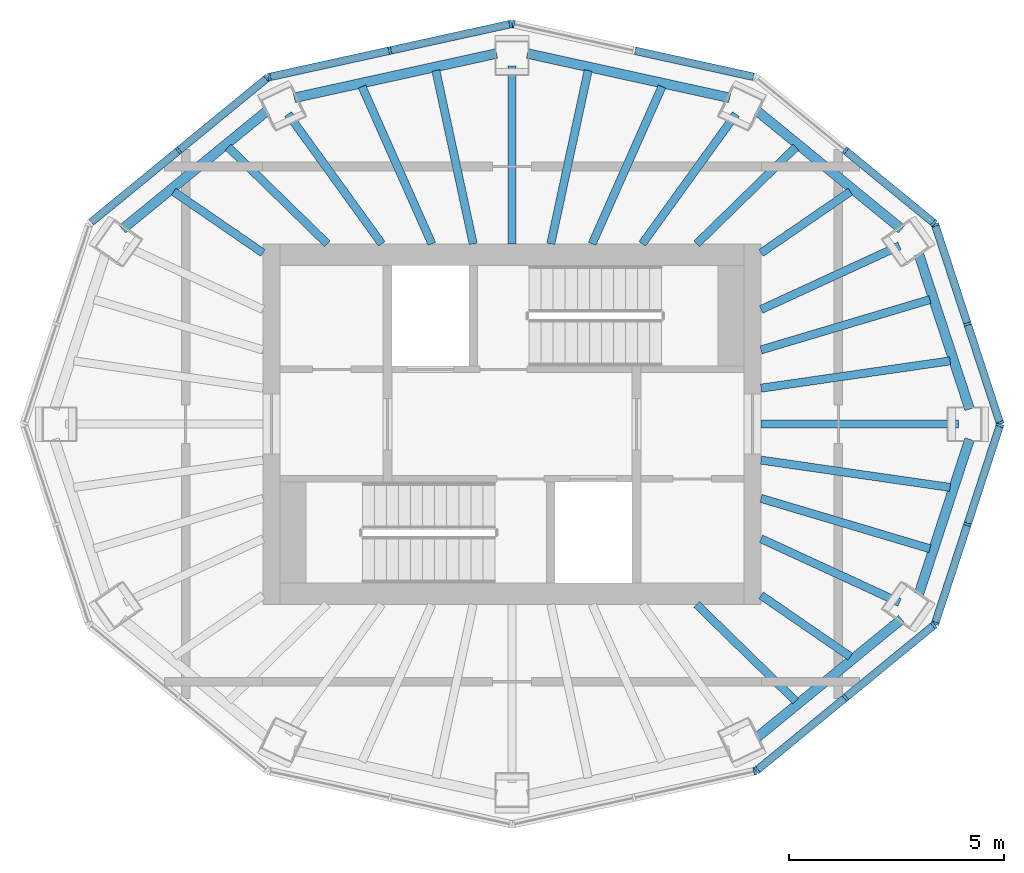
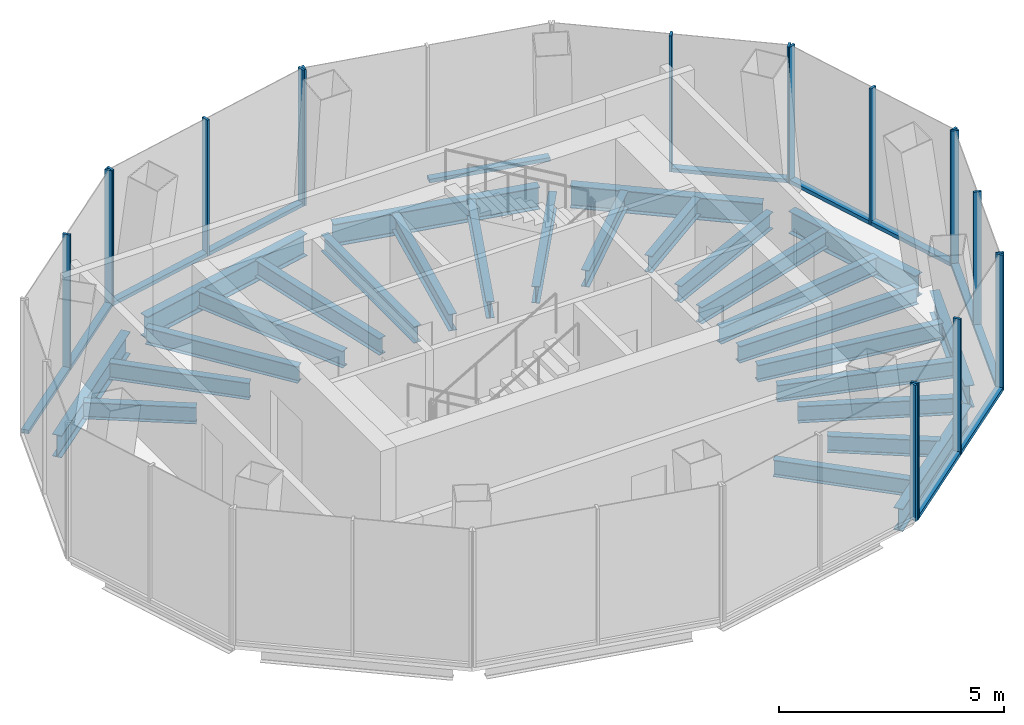
# One storey, part 2 of 5: 30 members, 27 beams, 8 elements without a shape of their own.
"""IFC4 building model written with IfcOpenShell, lengths in metres."""

from ifc_helpers import new_model, si_unit, direction, frame, origin, origin_2d, place, context, subcontext, project, spatial, rectangle, i_section, extrude, material, layer, layer_set, material_profile, profile_set, type_object, element, aggregate, save


model = new_model("IFC4")

# Units and contexts
model_context = context("Model", 3, precision=1e-05, world=origin(), true_north=direction((0.0, 1.0)))
body_context = subcontext(model_context, "Body", "Model", "MODEL_VIEW")
ifc_project = project(units=[si_unit("LENGTHUNIT", "METRE"), si_unit("AREAUNIT", "SQUARE_METRE"), si_unit("VOLUMEUNIT", "CUBIC_METRE"), si_unit("PLANEANGLEUNIT", "RADIAN"), si_unit("MASSUNIT", "GRAM", prefix="KILO")], contexts=[model_context])

# Site, building, storey
site_placement = place(None, origin())
site = spatial("IfcSite", under=ifc_project, at=site_placement, CompositionType="ELEMENT")
building_placement = place(site_placement, origin())
building = spatial("IfcBuilding", under=site, at=building_placement, Name="Siaravel Broadcast Tower", CompositionType="ELEMENT")
storey_placement = place(building_placement, frame((0.0, 0.0, 284.300048828125)))
storey = spatial("IfcBuildingStorey", under=building, at=storey_placement, Name="L69", CompositionType="ELEMENT", Elevation=284.300048828125)

# Curtain wall, members
ifc_material_1 = material(Name="Aluminium 6063-T6", Category="aluminium")
ifc_layer = layer(ifc_material_1, 0.179931640625)
ifc_layer_set = layer_set([ifc_layer], Name="Aluminium 6063-T6")
curtain_wall_type = type_object("IfcCurtainWallType", Name="Crown glass facet wall", PredefinedType="NOTDEFINED", material=ifc_layer_set)
curtain_wall_1_placement = place(storey_placement, origin())
curtain_wall_1 = element("IfcCurtainWall", 1, at=curtain_wall_1_placement, inside=storey, type_object=curtain_wall_type, Name="L69 Crown glass facet wall 01", PredefinedType="NOTDEFINED")
ifc_material_profile_1 = material_profile(ifc_material_1, rectangle(XDim=0.179931640625, YDim=0.06005859375, at=origin_2d()))
ifc_profile_set_1 = profile_set([ifc_material_profile_1], Name="Aluminium 6063-T6")
member_type_1 = type_object("IfcMemberType", Name="CW-CR mullion", PredefinedType="MULLION", material=ifc_profile_set_1)
member_1_placement = place(storey_placement, frame((11.36279296875, 0.028564453125, 0.0), z_axis=(0.0, 0.0, 1.0), x_axis=(-0.950457445, -0.310854701, 0.0)))
member_1 = element("IfcMember", 2, at=member_1_placement, type_object=member_type_1, Name="CW-CR mullion 1", PredefinedType="MULLION", context=body_context, shape_type="SweptSolid", body=[
    extrude(rectangle(XDim=0.179931640625, YDim=0.06005859375, at=origin_2d()), origin(), (0.0, 0.0, 1.0), 3.699951171875),
])
member_2_placement = place(storey_placement, frame((10.609130859375, 2.3330078125, 0.0), z_axis=(0.0, 0.0, 1.0), x_axis=(-0.950457445, -0.310854701, 0.0)))
member_2 = element("IfcMember", 3, at=member_2_placement, type_object=member_type_1, Name="CW-CR mullion 2", PredefinedType="MULLION", context=body_context, shape_type="SweptSolid", body=[
    extrude(rectangle(XDim=0.179931640625, YDim=0.06005859375, at=origin_2d()), origin(), (0.0, 0.0, 1.0), 3.699951171875),
])
member_3_placement = place(storey_placement, frame((9.85546875, 4.63720703125, 0.0), z_axis=(0.0, 0.0, 1.0), x_axis=(-0.950457445, -0.310854701, 0.0)))
member_3 = element("IfcMember", 4, at=member_3_placement, type_object=member_type_1, Name="CW-CR mullion 3", PredefinedType="MULLION", context=body_context, shape_type="SweptSolid", body=[
    extrude(rectangle(XDim=0.179931640625, YDim=0.06005859375, at=origin_2d()), origin(), (0.0, 0.0, 1.0), 3.699951171875),
])

curtain_wall_2_placement = place(storey_placement, origin())
curtain_wall_2 = element("IfcCurtainWall", 5, at=curtain_wall_2_placement, inside=storey, type_object=curtain_wall_type, Name="L69 Crown glass facet wall 02", PredefinedType="NOTDEFINED")
member_4_placement = place(storey_placement, frame((9.822998046875, 4.684814453125, 0.0), z_axis=(0.0, 0.0, 1.0), x_axis=(-0.633717624, -0.77356446, 0.0)))
member_4 = element("IfcMember", 6, at=member_4_placement, type_object=member_type_1, Name="CW-CR mullion 1", PredefinedType="MULLION", context=body_context, shape_type="SweptSolid", body=[
    extrude(rectangle(XDim=0.179931640625, YDim=0.06005859375, at=origin_2d()), origin(), (0.0, 0.0, 1.0), 3.699951171875),
])
member_5_placement = place(storey_placement, frame((7.764404296875, 6.371337890625, 0.0), z_axis=(0.0, 0.0, 1.0), x_axis=(-0.633717624, -0.77356446, 0.0)))
member_5 = element("IfcMember", 7, at=member_5_placement, type_object=member_type_1, Name="CW-CR mullion 2", PredefinedType="MULLION", context=body_context, shape_type="SweptSolid", body=[
    extrude(rectangle(XDim=0.179931640625, YDim=0.06005859375, at=origin_2d()), origin(), (0.0, 0.0, 1.0), 3.699951171875),
])

# Curtain wall, member
curtain_wall_3_placement = place(storey_placement, origin())
curtain_wall_3 = element("IfcCurtainWall", 8, at=curtain_wall_3_placement, inside=storey, type_object=curtain_wall_type, Name="L69 Crown glass facet wall 03", PredefinedType="NOTDEFINED")
member_6_placement = place(storey_placement, frame((0.029296875, 9.317626953125, 0.0), z_axis=(0.0, 0.0, 1.0), x_axis=(-0.214396093, -0.976746802, 0.0)))
member_6 = element("IfcMember", 9, at=member_6_placement, type_object=member_type_1, Name="CW-CR mullion 3", PredefinedType="MULLION", context=body_context, shape_type="SweptSolid", body=[
    extrude(rectangle(XDim=0.179931640625, YDim=0.06005859375, at=origin_2d()), origin(), (0.0, 0.0, 1.0), 3.699951171875),
])

# Curtain wall, members
curtain_wall_4_placement = place(storey_placement, origin())
curtain_wall_4 = element("IfcCurtainWall", 10, at=curtain_wall_4_placement, inside=storey, type_object=curtain_wall_type, Name="L69 Crown glass facet wall 04", PredefinedType="NOTDEFINED")
member_7_placement = place(storey_placement, frame((-0.029296875, 9.317626953125, 0.0), z_axis=(0.0, 0.0, 1.0), x_axis=(0.214396093, -0.976746802, 0.0)))
member_7 = element("IfcMember", 11, at=member_7_placement, type_object=member_type_1, Name="CW-CR mullion 1", PredefinedType="MULLION", context=body_context, shape_type="SweptSolid", body=[
    extrude(rectangle(XDim=0.179931640625, YDim=0.06005859375, at=origin_2d()), origin(), (0.0, 0.0, 1.0), 3.699951171875),
])
member_8_placement = place(storey_placement, frame((-2.84130859375, 8.700439453125, 0.0), z_axis=(0.0, 0.0, 1.0), x_axis=(0.214396093, -0.976746802, 0.0)))
member_8 = element("IfcMember", 12, at=member_8_placement, type_object=member_type_1, Name="CW-CR mullion 2", PredefinedType="MULLION", context=body_context, shape_type="SweptSolid", body=[
    extrude(rectangle(XDim=0.179931640625, YDim=0.06005859375, at=origin_2d()), origin(), (0.0, 0.0, 1.0), 3.699951171875),
])
member_9_placement = place(storey_placement, frame((-5.653076171875, 8.083251953125, 0.0), z_axis=(0.0, 0.0, 1.0), x_axis=(0.214396093, -0.976746802, 0.0)))
member_9 = element("IfcMember", 13, at=member_9_placement, type_object=member_type_1, Name="CW-CR mullion 3", PredefinedType="MULLION", context=body_context, shape_type="SweptSolid", body=[
    extrude(rectangle(XDim=0.179931640625, YDim=0.06005859375, at=origin_2d()), origin(), (0.0, 0.0, 1.0), 3.699951171875),
])

curtain_wall_5_placement = place(storey_placement, origin())
curtain_wall_5 = element("IfcCurtainWall", 14, at=curtain_wall_5_placement, inside=storey, type_object=curtain_wall_type, Name="L69 Crown glass facet wall 05", PredefinedType="NOTDEFINED")
member_10_placement = place(storey_placement, frame((-5.70556640625, 8.057861328125, 0.0), z_axis=(0.0, 0.0, 1.0), x_axis=(0.633717624, -0.77356446, 0.0)))
member_10 = element("IfcMember", 15, at=member_10_placement, type_object=member_type_1, Name="CW-CR mullion 1", PredefinedType="MULLION", context=body_context, shape_type="SweptSolid", body=[
    extrude(rectangle(XDim=0.179931640625, YDim=0.06005859375, at=origin_2d()), origin(), (0.0, 0.0, 1.0), 3.699951171875),
])
member_11_placement = place(storey_placement, frame((-7.764404296875, 6.371337890625, 0.0), z_axis=(0.0, 0.0, 1.0), x_axis=(0.633717624, -0.77356446, 0.0)))
member_11 = element("IfcMember", 16, at=member_11_placement, type_object=member_type_1, Name="CW-CR mullion 2", PredefinedType="MULLION", context=body_context, shape_type="SweptSolid", body=[
    extrude(rectangle(XDim=0.179931640625, YDim=0.06005859375, at=origin_2d()), origin(), (0.0, 0.0, 1.0), 3.699951171875),
])

# Curtain wall, member
curtain_wall_6_placement = place(storey_placement, origin())
curtain_wall_6 = element("IfcCurtainWall", 17, at=curtain_wall_6_placement, inside=storey, type_object=curtain_wall_type, Name="L69 Crown glass facet wall 10", PredefinedType="NOTDEFINED")
member_12_placement = place(storey_placement, frame((5.653076171875, -8.083251953125, 0.0), z_axis=(0.0, 0.0, 1.0), x_axis=(-0.214396093, 0.976746802, 0.0)))
member_12 = element("IfcMember", 18, at=member_12_placement, type_object=member_type_1, Name="CW-CR mullion 3", PredefinedType="MULLION", context=body_context, shape_type="SweptSolid", body=[
    extrude(rectangle(XDim=0.179931640625, YDim=0.06005859375, at=origin_2d()), origin(), (0.0, 0.0, 1.0), 3.699951171875),
])
aggregate(curtain_wall_6, [member_12])

# Curtain wall, members
curtain_wall_7_placement = place(storey_placement, origin())
curtain_wall_7 = element("IfcCurtainWall", 19, at=curtain_wall_7_placement, inside=storey, type_object=curtain_wall_type, Name="L69 Crown glass facet wall 11", PredefinedType="NOTDEFINED")
member_13_placement = place(storey_placement, frame((5.70556640625, -8.057861328125, 0.0), z_axis=(0.0, 0.0, 1.0), x_axis=(-0.633717624, 0.77356446, 0.0)))
member_13 = element("IfcMember", 20, at=member_13_placement, type_object=member_type_1, Name="CW-CR mullion 1", PredefinedType="MULLION", context=body_context, shape_type="SweptSolid", body=[
    extrude(rectangle(XDim=0.179931640625, YDim=0.06005859375, at=origin_2d()), origin(), (0.0, 0.0, 1.0), 3.699951171875),
])
member_14_placement = place(storey_placement, frame((7.764404296875, -6.371337890625, 0.0), z_axis=(0.0, 0.0, 1.0), x_axis=(-0.633717624, 0.77356446, 0.0)))
member_14 = element("IfcMember", 21, at=member_14_placement, type_object=member_type_1, Name="CW-CR mullion 2", PredefinedType="MULLION", context=body_context, shape_type="SweptSolid", body=[
    extrude(rectangle(XDim=0.179931640625, YDim=0.06005859375, at=origin_2d()), origin(), (0.0, 0.0, 1.0), 3.699951171875),
])
member_15_placement = place(storey_placement, frame((9.822998046875, -4.684814453125, 0.0), z_axis=(0.0, 0.0, 1.0), x_axis=(-0.633717624, 0.77356446, 0.0)))
member_15 = element("IfcMember", 22, at=member_15_placement, type_object=member_type_1, Name="CW-CR mullion 3", PredefinedType="MULLION", context=body_context, shape_type="SweptSolid", body=[
    extrude(rectangle(XDim=0.179931640625, YDim=0.06005859375, at=origin_2d()), origin(), (0.0, 0.0, 1.0), 3.699951171875),
])

curtain_wall_8_placement = place(storey_placement, origin())
curtain_wall_8 = element("IfcCurtainWall", 23, at=curtain_wall_8_placement, inside=storey, type_object=curtain_wall_type, Name="L69 Crown glass facet wall 12", PredefinedType="NOTDEFINED")
member_16_placement = place(storey_placement, frame((9.85546875, -4.63720703125, 0.0), z_axis=(0.0, 0.0, 1.0), x_axis=(-0.950457445, 0.310854701, 0.0)))
member_16 = element("IfcMember", 24, at=member_16_placement, type_object=member_type_1, Name="CW-CR mullion 1", PredefinedType="MULLION", context=body_context, shape_type="SweptSolid", body=[
    extrude(rectangle(XDim=0.179931640625, YDim=0.06005859375, at=origin_2d()), origin(), (0.0, 0.0, 1.0), 3.699951171875),
])
member_17_placement = place(storey_placement, frame((10.609130859375, -2.3330078125, 0.0), z_axis=(0.0, 0.0, 1.0), x_axis=(-0.950457445, 0.310854701, 0.0)))
member_17 = element("IfcMember", 25, at=member_17_placement, type_object=member_type_1, Name="CW-CR mullion 2", PredefinedType="MULLION", context=body_context, shape_type="SweptSolid", body=[
    extrude(rectangle(XDim=0.179931640625, YDim=0.06005859375, at=origin_2d()), origin(), (0.0, 0.0, 1.0), 3.699951171875),
])
member_18_placement = place(storey_placement, frame((11.36279296875, -0.028564453125, 0.0), z_axis=(0.0, 0.0, 1.0), x_axis=(-0.950457445, 0.310854701, 0.0)))
member_18 = element("IfcMember", 26, at=member_18_placement, type_object=member_type_1, Name="CW-CR mullion 3", PredefinedType="MULLION", context=body_context, shape_type="SweptSolid", body=[
    extrude(rectangle(XDim=0.179931640625, YDim=0.06005859375, at=origin_2d()), origin(), (0.0, 0.0, 1.0), 3.699951171875),
])

# Member
ifc_material_profile_2 = material_profile(ifc_material_1, rectangle(XDim=0.179931640625, YDim=0.10009765625, at=origin_2d()))
ifc_profile_set_2 = profile_set([ifc_material_profile_2], Name="Aluminium 6063-T6")
member_type_2 = type_object("IfcMemberType", Name="CW-CR transom", PredefinedType="USERDEFINED", material=ifc_profile_set_2)
member_19_placement = place(storey_placement, frame((11.353515625, 0.056884765625, 0.050048828125), z_axis=(-0.310864415, 0.950454268, 0.0), x_axis=(-0.950454268, -0.310864415, 0.0)))
member_19 = element("IfcMember", 27, at=member_19_placement, type_object=member_type_2, Name="CW-CR transom 1", ObjectType="TRANSOM", PredefinedType="USERDEFINED", context=body_context, shape_type="SweptSolid", body=[
    extrude(rectangle(XDim=0.179931640625, YDim=0.10009765625, at=origin_2d()), origin(), (0.0, 0.0, 1.0), 2.36474609375),
])

member_20_placement = place(storey_placement, frame((10.599853515625, 2.361328125, 0.050048828125), z_axis=(-0.310864415, 0.950454268, 0.0), x_axis=(-0.950454268, -0.310864415, 0.0)))
member_20 = element("IfcMember", 28, at=member_20_placement, type_object=member_type_2, Name="CW-CR transom 2", ObjectType="TRANSOM", PredefinedType="USERDEFINED", context=body_context, shape_type="SweptSolid", body=[
    extrude(rectangle(XDim=0.179931640625, YDim=0.10009765625, at=origin_2d()), origin(), (0.0, 0.0, 1.0), 2.36474609375),
])

aggregate(curtain_wall_1, [member_1, member_2, member_3, member_19, member_20])

member_21_placement = place(storey_placement, frame((9.7998046875, 4.703857421875, 0.050048828125), z_axis=(-0.773564069, 0.633718101, 0.0), x_axis=(-0.633718101, -0.773564069, 0.0)))
member_21 = element("IfcMember", 29, at=member_21_placement, type_object=member_type_2, Name="CW-CR transom 1", ObjectType="TRANSOM", PredefinedType="USERDEFINED", context=body_context, shape_type="SweptSolid", body=[
    extrude(rectangle(XDim=0.179931640625, YDim=0.10009765625, at=origin_2d()), origin(), (0.0, 0.0, 1.0), 2.601318359375),
])

aggregate(curtain_wall_2, [member_4, member_5, member_21])

member_22_placement = place(storey_placement, frame((5.623779296875, 8.089599609375, 0.050048828125), z_axis=(-0.976734167, 0.214453649, 0.0), x_axis=(-0.214453649, -0.976734167, 0.0)))
member_22 = element("IfcMember", 30, at=member_22_placement, type_object=member_type_2, Name="CW-CR transom 1", ObjectType="TRANSOM", PredefinedType="USERDEFINED", context=body_context, shape_type="SweptSolid", body=[
    extrude(rectangle(XDim=0.179931640625, YDim=0.10009765625, at=origin_2d()), origin(), (0.0, 0.0, 1.0), 2.81884765625),
])

aggregate(curtain_wall_3, [member_6, member_22])

member_23_placement = place(storey_placement, frame((-0.05859375, 9.311279296875, 0.050048828125), z_axis=(-0.97673815, -0.214435508, 0.0), x_axis=(0.214435508, -0.97673815, 0.0)))
member_23 = element("IfcMember", 31, at=member_23_placement, type_object=member_type_2, Name="CW-CR transom 1", ObjectType="TRANSOM", PredefinedType="USERDEFINED", context=body_context, shape_type="SweptSolid", body=[
    extrude(rectangle(XDim=0.179931640625, YDim=0.10009765625, at=origin_2d()), origin(), (0.0, 0.0, 1.0), 2.819091796875),
])

member_24_placement = place(storey_placement, frame((-2.87060546875, 8.694091796875, 0.050048828125), z_axis=(-0.976734167, -0.214453649, 0.0), x_axis=(0.214453649, -0.976734167, 0.0)))
member_24 = element("IfcMember", 32, at=member_24_placement, type_object=member_type_2, Name="CW-CR transom 2", ObjectType="TRANSOM", PredefinedType="USERDEFINED", context=body_context, shape_type="SweptSolid", body=[
    extrude(rectangle(XDim=0.179931640625, YDim=0.10009765625, at=origin_2d()), origin(), (0.0, 0.0, 1.0), 2.81884765625),
])

aggregate(curtain_wall_4, [member_7, member_8, member_9, member_23, member_24])

member_25_placement = place(storey_placement, frame((-5.728759765625, 8.038818359375, 0.050048828125), z_axis=(-0.773601757, -0.633672093, 0.0), x_axis=(0.633672093, -0.773601757, 0.0)))
member_25 = element("IfcMember", 33, at=member_25_placement, type_object=member_type_2, Name="CW-CR transom 1", ObjectType="TRANSOM", PredefinedType="USERDEFINED", context=body_context, shape_type="SweptSolid", body=[
    extrude(rectangle(XDim=0.179931640625, YDim=0.10009765625, at=origin_2d()), origin(), (0.0, 0.0, 1.0), 2.601318359375),
])

member_26_placement = place(storey_placement, frame((-7.78759765625, 6.352294921875, 0.050048828125), z_axis=(-0.773564069, -0.633718101, 0.0), x_axis=(0.633718101, -0.773564069, 0.0)))
member_26 = element("IfcMember", 34, at=member_26_placement, type_object=member_type_2, Name="CW-CR transom 2", ObjectType="TRANSOM", PredefinedType="USERDEFINED", context=body_context, shape_type="SweptSolid", body=[
    extrude(rectangle(XDim=0.179931640625, YDim=0.10009765625, at=origin_2d()), origin(), (0.0, 0.0, 1.0), 2.601318359375),
])

aggregate(curtain_wall_5, [member_10, member_11, member_25, member_26])

member_27_placement = place(storey_placement, frame((5.728759765625, -8.038818359375, 0.050048828125), z_axis=(0.773601757, 0.633672093, 0.0), x_axis=(-0.633672093, 0.773601757, 0.0)))
member_27 = element("IfcMember", 35, at=member_27_placement, type_object=member_type_2, Name="CW-CR transom 1", ObjectType="TRANSOM", PredefinedType="USERDEFINED", context=body_context, shape_type="SweptSolid", body=[
    extrude(rectangle(XDim=0.179931640625, YDim=0.10009765625, at=origin_2d()), origin(), (0.0, 0.0, 1.0), 2.601318359375),
])

member_28_placement = place(storey_placement, frame((7.78759765625, -6.352294921875, 0.050048828125), z_axis=(0.773564069, 0.633718101, 0.0), x_axis=(-0.633718101, 0.773564069, 0.0)))
member_28 = element("IfcMember", 36, at=member_28_placement, type_object=member_type_2, Name="CW-CR transom 2", ObjectType="TRANSOM", PredefinedType="USERDEFINED", context=body_context, shape_type="SweptSolid", body=[
    extrude(rectangle(XDim=0.179931640625, YDim=0.10009765625, at=origin_2d()), origin(), (0.0, 0.0, 1.0), 2.601318359375),
])

aggregate(curtain_wall_7, [member_13, member_14, member_15, member_27, member_28])

member_29_placement = place(storey_placement, frame((9.86474609375, -4.60888671875, 0.050048828125), z_axis=(0.310864415, 0.950454268, 0.0), x_axis=(-0.950454268, 0.310864415, 0.0)))
member_29 = element("IfcMember", 37, at=member_29_placement, type_object=member_type_2, Name="CW-CR transom 1", ObjectType="TRANSOM", PredefinedType="USERDEFINED", context=body_context, shape_type="SweptSolid", body=[
    extrude(rectangle(XDim=0.179931640625, YDim=0.10009765625, at=origin_2d()), origin(), (0.0, 0.0, 1.0), 2.36474609375),
])

member_30_placement = place(storey_placement, frame((10.618408203125, -2.304443359375, 0.050048828125), z_axis=(0.310864415, 0.950454268, 0.0), x_axis=(-0.950454268, 0.310864415, 0.0)))
member_30 = element("IfcMember", 38, at=member_30_placement, type_object=member_type_2, Name="CW-CR transom 2", ObjectType="TRANSOM", PredefinedType="USERDEFINED", context=body_context, shape_type="SweptSolid", body=[
    extrude(rectangle(XDim=0.179931640625, YDim=0.10009765625, at=origin_2d()), origin(), (0.0, 0.0, 1.0), 2.36474609375),
])

aggregate(curtain_wall_8, [member_16, member_17, member_18, member_29, member_30])

# Beams
ifc_material_2 = material(Name="Steel S355", Category="steel")
ifc_material_profile_3 = material_profile(ifc_material_2, i_section(OverallWidth=0.18994140625, OverallDepth=0.453369140625, WebThickness=0.008544921875, FlangeThickness=0.0126953125, FilletRadius=0.01025390625, at=origin_2d()))
ifc_profile_set_3 = profile_set([ifc_material_profile_3], Name="Steel S355")
beam_type_1 = type_object("IfcBeamType", Name="Crown radial beam UB 457x191x67", PredefinedType="BEAM", material=ifc_profile_set_3)
beam_1_placement = place(storey_placement, frame((10.40185546875, 0.0, -0.4267578125), z_axis=(-1.0, 0.0, 0.0), x_axis=(0.0, -1.0, 0.0)))
element("IfcBeam", 39, at=beam_1_placement, inside=storey, type_object=beam_type_1, Name="Crown radial beam 4-01", PredefinedType="BEAM", context=body_context, shape_type="SweptSolid", body=[
    extrude(i_section(OverallWidth=0.18994140625, OverallDepth=0.453369140625, WebThickness=0.008544921875, FlangeThickness=0.0126953125, FilletRadius=0.01025390625, at=origin_2d()), origin(), (0.0, 0.0, 1.0), 4.601806640625),
])
beam_2_placement = place(storey_placement, frame((10.20166015625, 1.473388671875, -0.4267578125), z_axis=(-0.989729824, -0.142950605, 0.0), x_axis=(0.142950605, -0.989729824, 0.0)))
element("IfcBeam", 40, at=beam_2_placement, inside=storey, type_object=beam_type_1, Name="Crown radial beam 4-02", PredefinedType="BEAM", context=body_context, shape_type="SweptSolid", body=[
    extrude(i_section(OverallWidth=0.18994140625, OverallDepth=0.453369140625, WebThickness=0.008544921875, FlangeThickness=0.0126953125, FilletRadius=0.01025390625, at=origin_2d()), origin(), (0.0, 0.0, 1.0), 4.447265625),
])
beam_3_placement = place(storey_placement, frame((9.732177734375, 2.9013671875, -0.4267578125), z_axis=(-0.958329207, -0.28566612, 0.0), x_axis=(0.28566612, -0.958329207, 0.0)))
element("IfcBeam", 41, at=beam_3_placement, inside=storey, type_object=beam_type_1, Name="Crown radial beam 4-03", PredefinedType="BEAM", context=body_context, shape_type="SweptSolid", body=[
    extrude(i_section(OverallWidth=0.18994140625, OverallDepth=0.453369140625, WebThickness=0.008544921875, FlangeThickness=0.0126953125, FilletRadius=0.01025390625, at=origin_2d()), origin(), (0.0, 0.0, 1.0), 4.10302734375),
])
beam_4_placement = place(storey_placement, frame((9.02294921875, 4.153076171875, -0.4267578125), z_axis=(-0.908397945, -0.418106652, 0.0), x_axis=(0.418106652, -0.908397945, 0.0)))
element("IfcBeam", 42, at=beam_4_placement, inside=storey, type_object=beam_type_1, Name="Crown radial beam 4-04", PredefinedType="BEAM", context=body_context, shape_type="SweptSolid", body=[
    extrude(i_section(OverallWidth=0.18994140625, OverallDepth=0.453369140625, WebThickness=0.008544921875, FlangeThickness=0.0126953125, FilletRadius=0.01025390625, at=origin_2d()), origin(), (0.0, 0.0, 1.0), 3.5478515625),
])
beam_5_placement = place(storey_placement, frame((7.878173828125, 5.414794921875, -0.4267578125), z_axis=(-0.824132313, -0.566397325, 0.0), x_axis=(0.566397325, -0.824132313, 0.0)))
element("IfcBeam", 43, at=beam_5_placement, inside=storey, type_object=beam_type_1, Name="Crown radial beam 4-05", PredefinedType="BEAM", context=body_context, shape_type="SweptSolid", body=[
    extrude(i_section(OverallWidth=0.18994140625, OverallDepth=0.453369140625, WebThickness=0.008544921875, FlangeThickness=0.0126953125, FilletRadius=0.01025390625, at=origin_2d()), origin(), (0.0, 0.0, 1.0), 2.521484375),
])
beam_6_placement = place(storey_placement, frame((6.607666015625, 6.4501953125, -0.4267578125), z_axis=(-0.715581422, -0.698529333, 0.0), x_axis=(0.698529333, -0.715581422, 0.0)))
element("IfcBeam", 44, at=beam_6_placement, inside=storey, type_object=beam_type_1, Name="Crown radial beam 4-06", PredefinedType="BEAM", context=body_context, shape_type="SweptSolid", body=[
    extrude(i_section(OverallWidth=0.18994140625, OverallDepth=0.453369140625, WebThickness=0.008544921875, FlangeThickness=0.0126953125, FilletRadius=0.01025390625, at=origin_2d()), origin(), (0.0, 0.0, 1.0), 3.221435546875),
])
beam_7_placement = place(storey_placement, frame((5.21435546875, 7.219970703125, -0.4267578125), z_axis=(-0.585452267, -0.810706878, 0.0), x_axis=(0.810706878, -0.585452267, 0.0)))
element("IfcBeam", 45, at=beam_7_placement, inside=storey, type_object=beam_type_1, Name="Crown radial beam 4-07", PredefinedType="BEAM", context=body_context, shape_type="SweptSolid", body=[
    extrude(i_section(OverallWidth=0.18994140625, OverallDepth=0.453369140625, WebThickness=0.008544921875, FlangeThickness=0.0126953125, FilletRadius=0.01025390625, at=origin_2d()), origin(), (0.0, 0.0, 1.0), 3.72509765625),
])
beam_8_placement = place(storey_placement, frame((3.492919921875, 7.860595703125, -0.4267578125), z_axis=(-0.406087572, -0.913834167, 0.0), x_axis=(0.913834167, -0.406087572, 0.0)))
element("IfcBeam", 46, at=beam_8_placement, inside=storey, type_object=beam_type_1, Name="Crown radial beam 4-08", PredefinedType="BEAM", context=body_context, shape_type="SweptSolid", body=[
    extrude(i_section(OverallWidth=0.18994140625, OverallDepth=0.453369140625, WebThickness=0.008544921875, FlangeThickness=0.0126953125, FilletRadius=0.01025390625, at=origin_2d()), origin(), (0.0, 0.0, 1.0), 4.005859375),
])
beam_9_placement = place(storey_placement, frame((1.77294921875, 8.236083984375, -0.4267578125), z_axis=(-0.21045783, -0.977602937, 0.0), x_axis=(0.977602937, -0.21045783, 0.0)))
element("IfcBeam", 47, at=beam_9_placement, inside=storey, type_object=beam_type_1, Name="Crown radial beam 4-09", PredefinedType="BEAM", context=body_context, shape_type="SweptSolid", body=[
    extrude(i_section(OverallWidth=0.18994140625, OverallDepth=0.453369140625, WebThickness=0.008544921875, FlangeThickness=0.0126953125, FilletRadius=0.01025390625, at=origin_2d()), origin(), (0.0, 0.0, 1.0), 4.128662109375),
])
beam_10_placement = place(storey_placement, frame((0.0, 8.340576171875, -0.4267578125), z_axis=(0.0, -1.0, 0.0), x_axis=(1.0, 0.0, 0.0)))
element("IfcBeam", 48, at=beam_10_placement, inside=storey, type_object=beam_type_1, Name="Crown radial beam 4-10", PredefinedType="BEAM", context=body_context, shape_type="SweptSolid", body=[
    extrude(i_section(OverallWidth=0.18994140625, OverallDepth=0.453369140625, WebThickness=0.008544921875, FlangeThickness=0.0126953125, FilletRadius=0.01025390625, at=origin_2d()), origin(), (0.0, 0.0, 1.0), 4.140625),
])
beam_11_placement = place(storey_placement, frame((-1.77294921875, 8.236083984375, -0.4267578125), z_axis=(0.21045783, -0.977602937, 0.0), x_axis=(0.977602937, 0.21045783, 0.0)))
element("IfcBeam", 49, at=beam_11_placement, inside=storey, type_object=beam_type_1, Name="Crown radial beam 4-11", PredefinedType="BEAM", context=body_context, shape_type="SweptSolid", body=[
    extrude(i_section(OverallWidth=0.18994140625, OverallDepth=0.453369140625, WebThickness=0.008544921875, FlangeThickness=0.0126953125, FilletRadius=0.01025390625, at=origin_2d()), origin(), (0.0, 0.0, 1.0), 4.128662109375),
])
beam_12_placement = place(storey_placement, frame((-3.492919921875, 7.860595703125, -0.4267578125), z_axis=(0.406087572, -0.913834167, 0.0), x_axis=(0.913834167, 0.406087572, 0.0)))
element("IfcBeam", 50, at=beam_12_placement, inside=storey, type_object=beam_type_1, Name="Crown radial beam 4-12", PredefinedType="BEAM", context=body_context, shape_type="SweptSolid", body=[
    extrude(i_section(OverallWidth=0.18994140625, OverallDepth=0.453369140625, WebThickness=0.008544921875, FlangeThickness=0.0126953125, FilletRadius=0.01025390625, at=origin_2d()), origin(), (0.0, 0.0, 1.0), 4.005859375),
])
beam_13_placement = place(storey_placement, frame((-5.21435546875, 7.219970703125, -0.4267578125), z_axis=(0.585452267, -0.810706878, 0.0), x_axis=(0.810706878, 0.585452267, 0.0)))
element("IfcBeam", 51, at=beam_13_placement, inside=storey, type_object=beam_type_1, Name="Crown radial beam 4-13", PredefinedType="BEAM", context=body_context, shape_type="SweptSolid", body=[
    extrude(i_section(OverallWidth=0.18994140625, OverallDepth=0.453369140625, WebThickness=0.008544921875, FlangeThickness=0.0126953125, FilletRadius=0.01025390625, at=origin_2d()), origin(), (0.0, 0.0, 1.0), 3.72509765625),
])
beam_14_placement = place(storey_placement, frame((-6.607666015625, 6.4501953125, -0.4267578125), z_axis=(0.715581422, -0.698529333, 0.0), x_axis=(0.698529333, 0.715581422, 0.0)))
element("IfcBeam", 52, at=beam_14_placement, inside=storey, type_object=beam_type_1, Name="Crown radial beam 4-14", PredefinedType="BEAM", context=body_context, shape_type="SweptSolid", body=[
    extrude(i_section(OverallWidth=0.18994140625, OverallDepth=0.453369140625, WebThickness=0.008544921875, FlangeThickness=0.0126953125, FilletRadius=0.01025390625, at=origin_2d()), origin(), (0.0, 0.0, 1.0), 3.221435546875),
])
beam_15_placement = place(storey_placement, frame((-7.878173828125, 5.414794921875, -0.4267578125), z_axis=(0.824132313, -0.566397325, 0.0), x_axis=(0.566397325, 0.824132313, 0.0)))
element("IfcBeam", 53, at=beam_15_placement, inside=storey, type_object=beam_type_1, Name="Crown radial beam 4-15", PredefinedType="BEAM", context=body_context, shape_type="SweptSolid", body=[
    extrude(i_section(OverallWidth=0.18994140625, OverallDepth=0.453369140625, WebThickness=0.008544921875, FlangeThickness=0.0126953125, FilletRadius=0.01025390625, at=origin_2d()), origin(), (0.0, 0.0, 1.0), 2.521484375),
])
beam_16_placement = place(storey_placement, frame((6.607666015625, -6.4501953125, -0.4267578125), z_axis=(-0.715581422, 0.698529333, 0.0), x_axis=(-0.698529333, -0.715581422, 0.0)))
element("IfcBeam", 54, at=beam_16_placement, inside=storey, type_object=beam_type_1, Name="Crown radial beam 4-32", PredefinedType="BEAM", context=body_context, shape_type="SweptSolid", body=[
    extrude(i_section(OverallWidth=0.18994140625, OverallDepth=0.453369140625, WebThickness=0.008544921875, FlangeThickness=0.0126953125, FilletRadius=0.01025390625, at=origin_2d()), origin(), (0.0, 0.0, 1.0), 3.221435546875),
])
beam_17_placement = place(storey_placement, frame((7.878173828125, -5.414794921875, -0.4267578125), z_axis=(-0.824132313, 0.566397325, 0.0), x_axis=(-0.566397325, -0.824132313, 0.0)))
element("IfcBeam", 55, at=beam_17_placement, inside=storey, type_object=beam_type_1, Name="Crown radial beam 4-33", PredefinedType="BEAM", context=body_context, shape_type="SweptSolid", body=[
    extrude(i_section(OverallWidth=0.18994140625, OverallDepth=0.453369140625, WebThickness=0.008544921875, FlangeThickness=0.0126953125, FilletRadius=0.01025390625, at=origin_2d()), origin(), (0.0, 0.0, 1.0), 2.521484375),
])
beam_18_placement = place(storey_placement, frame((9.02294921875, -4.153076171875, -0.4267578125), z_axis=(-0.908397945, 0.418106652, 0.0), x_axis=(-0.418106652, -0.908397945, 0.0)))
element("IfcBeam", 56, at=beam_18_placement, inside=storey, type_object=beam_type_1, Name="Crown radial beam 4-34", PredefinedType="BEAM", context=body_context, shape_type="SweptSolid", body=[
    extrude(i_section(OverallWidth=0.18994140625, OverallDepth=0.453369140625, WebThickness=0.008544921875, FlangeThickness=0.0126953125, FilletRadius=0.01025390625, at=origin_2d()), origin(), (0.0, 0.0, 1.0), 3.5478515625),
])
beam_19_placement = place(storey_placement, frame((9.732177734375, -2.9013671875, -0.4267578125), z_axis=(-0.958329207, 0.28566612, 0.0), x_axis=(-0.28566612, -0.958329207, 0.0)))
element("IfcBeam", 57, at=beam_19_placement, inside=storey, type_object=beam_type_1, Name="Crown radial beam 4-35", PredefinedType="BEAM", context=body_context, shape_type="SweptSolid", body=[
    extrude(i_section(OverallWidth=0.18994140625, OverallDepth=0.453369140625, WebThickness=0.008544921875, FlangeThickness=0.0126953125, FilletRadius=0.01025390625, at=origin_2d()), origin(), (0.0, 0.0, 1.0), 4.10302734375),
])
beam_20_placement = place(storey_placement, frame((10.20166015625, -1.473388671875, -0.4267578125), z_axis=(-0.989729824, 0.142950605, 0.0), x_axis=(-0.142950605, -0.989729824, 0.0)))
element("IfcBeam", 58, at=beam_20_placement, inside=storey, type_object=beam_type_1, Name="Crown radial beam 4-36", PredefinedType="BEAM", context=body_context, shape_type="SweptSolid", body=[
    extrude(i_section(OverallWidth=0.18994140625, OverallDepth=0.453369140625, WebThickness=0.008544921875, FlangeThickness=0.0126953125, FilletRadius=0.01025390625, at=origin_2d()), origin(), (0.0, 0.0, 1.0), 4.447265625),
])
ifc_material_profile_4 = material_profile(ifc_material_2, i_section(OverallWidth=0.2275390625, OverallDepth=0.6025390625, WebThickness=0.010498046875, FlangeThickness=0.014892578125, FilletRadius=0.0126953125, at=origin_2d()))
ifc_profile_set_4 = profile_set([ifc_material_profile_4], Name="Steel S355")
beam_type_2 = type_object("IfcBeamType", Name="Crown ring beam UB 610x229x101", PredefinedType="SPANDREL", material=ifc_profile_set_4)
beam_21_placement = place(storey_placement, frame((10.656494140625, 0.3515625, -0.50146484375), z_axis=(-0.31160973, 0.950210175, 0.0), x_axis=(-0.950210175, -0.31160973, 0.0)))
element("IfcBeam", 59, at=beam_21_placement, inside=storey, type_object=beam_type_2, Name="Crown ring beam 4-01", PredefinedType="SPANDREL", context=body_context, shape_type="SweptSolid", body=[
    extrude(i_section(OverallWidth=0.2275390625, OverallDepth=0.6025390625, WebThickness=0.010498046875, FlangeThickness=0.014892578125, FilletRadius=0.0126953125, at=origin_2d()), origin(), (0.0, 0.0, 1.0), 3.793701171875),
])
beam_22_placement = place(storey_placement, frame((9.072509765625, 4.5419921875, -0.50146484375), z_axis=(-0.774107867, 0.633053719, 0.0), x_axis=(-0.633053719, -0.774107867, 0.0)))
element("IfcBeam", 60, at=beam_22_placement, inside=storey, type_object=beam_type_2, Name="Crown ring beam 4-02", PredefinedType="SPANDREL", context=body_context, shape_type="SweptSolid", body=[
    extrude(i_section(OverallWidth=0.2275390625, OverallDepth=0.6025390625, WebThickness=0.010498046875, FlangeThickness=0.014892578125, FilletRadius=0.0126953125, at=origin_2d()), origin(), (0.0, 0.0, 1.0), 4.333984375),
])
for number, where, z_axis, x_axis, name in (
    (61, (5.069580078125, 7.59912109375, -0.50146484375), (-0.976800451, 0.214151533, 0.0), (-0.214151533, -0.976800451, 0.0), "Crown ring beam 4-03"),
    (62, (-0.361328125, 8.63134765625, -0.50146484375), (-0.976800451, -0.214151533, 0.0), (0.214151533, -0.976800451, 0.0), "Crown ring beam 4-04"),
):
    element("IfcBeam", number, at=place(storey_placement, frame(where, z_axis=z_axis, x_axis=x_axis)), inside=storey, type_object=beam_type_2, Name=name, PredefinedType="SPANDREL", context=body_context, shape_type="SweptSolid", body=[
        extrude(i_section(OverallWidth=0.2275390625, OverallDepth=0.6025390625, WebThickness=0.010498046875, FlangeThickness=0.014892578125, FilletRadius=0.0126953125, at=origin_2d()), origin(), (0.0, 0.0, 1.0), 4.820068359375),
    ])
for number, where, z_axis, x_axis, name in (
    (63, (-5.717529296875, 7.28564453125, -0.50146484375), (-0.774107867, -0.633053719, 0.0), (0.633053719, -0.774107867, 0.0), "Crown ring beam 4-05"),
    (64, (5.717529296875, -7.28564453125, -0.50146484375), (0.774107867, 0.633053719, 0.0), (-0.633053719, 0.774107867, 0.0), "Crown ring beam 4-11"),
):
    element("IfcBeam", number, at=place(storey_placement, frame(where, z_axis=z_axis, x_axis=x_axis)), inside=storey, type_object=beam_type_2, Name=name, PredefinedType="SPANDREL", context=body_context, shape_type="SweptSolid", body=[
        extrude(i_section(OverallWidth=0.2275390625, OverallDepth=0.6025390625, WebThickness=0.010498046875, FlangeThickness=0.014892578125, FilletRadius=0.0126953125, at=origin_2d()), origin(), (0.0, 0.0, 1.0), 4.333984375),
    ])
beam_23_placement = place(storey_placement, frame((9.474365234375, -3.956298828125, -0.50146484375), z_axis=(0.31160973, 0.950210175, 0.0), x_axis=(-0.950210175, 0.31160973, 0.0)))
element("IfcBeam", 65, at=beam_23_placement, inside=storey, type_object=beam_type_2, Name="Crown ring beam 4-12", PredefinedType="SPANDREL", context=body_context, shape_type="SweptSolid", body=[
    extrude(i_section(OverallWidth=0.2275390625, OverallDepth=0.6025390625, WebThickness=0.010498046875, FlangeThickness=0.014892578125, FilletRadius=0.0126953125, at=origin_2d()), origin(), (0.0, 0.0, 1.0), 3.793701171875),
])

save(model, "model.ifc")
